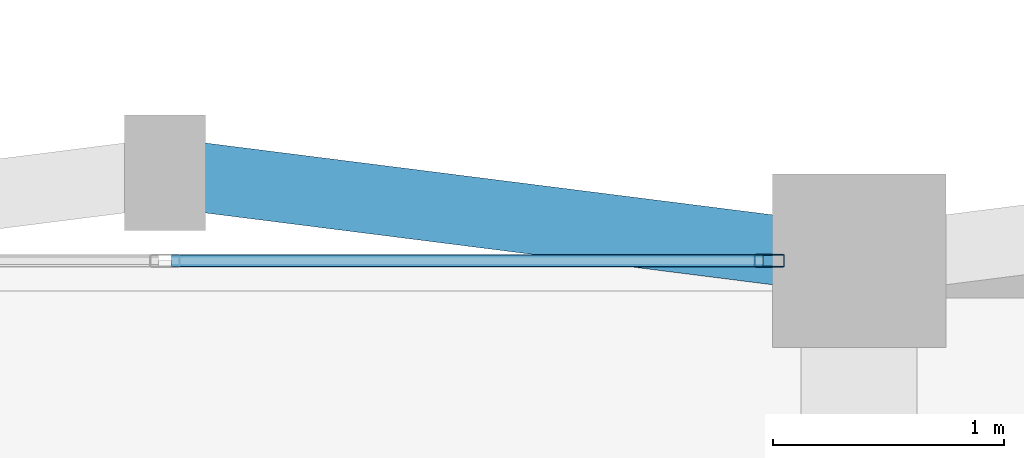
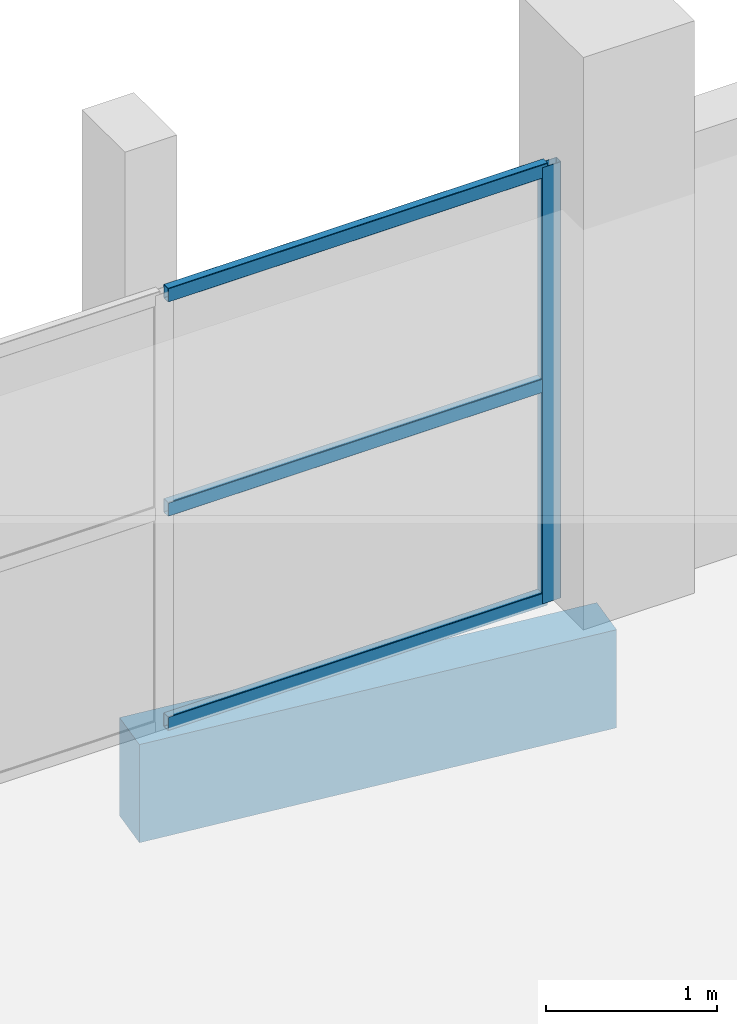
# One storey, part 17 of 127: 4 members, 1 beam, 1 element without a shape of its own.
"""IFC4 building model written with IfcOpenShell, lengths in metres."""

from ifc_helpers import new_model, si_unit, direction, frame, origin, origin_2d, place, context, subcontext, project, spatial, rectangle, hollow_rectangle, extrude, material, layer, layer_set, material_profile, profile_set, type_object, element, aggregate, save


model = new_model("IFC4")

# Units and contexts
model_context = context("Model", 3, precision=1e-05, world=origin(), true_north=direction((0.0, 1.0)))
body_context = subcontext(model_context, "Body", "Model", "MODEL_VIEW")
ifc_project = project(units=[si_unit("LENGTHUNIT", "METRE"), si_unit("AREAUNIT", "SQUARE_METRE"), si_unit("VOLUMEUNIT", "CUBIC_METRE"), si_unit("PLANEANGLEUNIT", "RADIAN"), si_unit("MASSUNIT", "GRAM", prefix="KILO")], contexts=[model_context])

# Site, building, storey
site_placement = place(None, origin())
site = spatial("IfcSite", under=ifc_project, at=site_placement, CompositionType="ELEMENT")
building_placement = place(site_placement, origin())
building = spatial("IfcBuilding", under=site, at=building_placement, Name="Dunvalen Ferry Terminal", CompositionType="ELEMENT")
storey_placement = place(building_placement, frame((0.0, 0.0, 5.760009765625)))
storey = spatial("IfcBuildingStorey", under=building, at=storey_placement, Name="L01", CompositionType="ELEMENT", Elevation=5.760009765625)

# Curtain wall, members
ifc_material_1 = material(Name="Anodised marine aluminium and solar-control glazing", Category="aluminium")
ifc_layer = layer(ifc_material_1, 0.14990234375, Name="Anodised marine aluminium and solar-control glazing")
ifc_layer_set = layer_set([ifc_layer], Name="Anodised marine aluminium and solar-control glazing")
curtain_wall_type = type_object("IfcCurtainWallType", Name="ENV-CW-SYS-11", PredefinedType="NOTDEFINED", material=ifc_layer_set)
curtain_wall_placement = place(storey_placement, origin())
curtain_wall = element("IfcCurtainWall", 1, at=curtain_wall_placement, inside=storey, type_object=curtain_wall_type, Name="L01 Curtain Wall CW-V5CORE-L01-7-7", PredefinedType="NOTDEFINED")
ifc_material_2 = material(Name="Anodised marine aluminium EN AW-6063 T6", Category="aluminium")
ifc_material_profile_1 = material_profile(ifc_material_2, hollow_rectangle(XDim=0.054931640625, YDim=0.1298828125, WallThickness=0.003173828125, InnerFilletRadius=0.003173828125, OuterFilletRadius=0.00634765625, at=origin_2d()), Name="Anodised marine aluminium EN AW-6063 T6")
ifc_profile_set_1 = profile_set([ifc_material_profile_1], Name="Anodised marine aluminium EN AW-6063 T6")
member_type_1 = type_object("IfcMemberType", Name="ENV-CW-MUL-4", PredefinedType="MULLION", material=ifc_profile_set_1)
member_1_placement = place(storey_placement, frame((47.612548828125, 36.0, 0.0), z_axis=(0.0, 0.0, 1.0), x_axis=(0.0, -1.0, 0.0)))
member_1 = element("IfcMember", 2, at=member_1_placement, type_object=member_type_1, Name="CW-11 mullion 1", PredefinedType="MULLION", context=body_context, shape_type="SweptSolid", body=[
    extrude(hollow_rectangle(XDim=0.054931640625, YDim=0.1298828125, WallThickness=0.003173828125, InnerFilletRadius=0.003173828125, OuterFilletRadius=0.00634765625, at=origin_2d()), origin(), (0.0, 0.0, 1.0), 3.110107421875),
])
ifc_material_profile_2 = material_profile(ifc_material_2, hollow_rectangle(XDim=0.054931640625, YDim=0.10009765625, WallThickness=0.0029296875, InnerFilletRadius=0.0029296875, OuterFilletRadius=0.006103515625, at=origin_2d()), Name="Anodised marine aluminium EN AW-6063 T6")
ifc_profile_set_2 = profile_set([ifc_material_profile_2], Name="Anodised marine aluminium EN AW-6063 T6")
member_type_2 = type_object("IfcMemberType", Name="ENV-CW-TRN-4", PredefinedType="USERDEFINED", material=ifc_profile_set_2)
member_2_placement = place(storey_placement, frame((47.5849609375, 36.0, 0.027587890625), z_axis=(-1.0, 0.0, 0.0), x_axis=(0.0, -1.0, 0.0)))
member_2 = element("IfcMember", 3, at=member_2_placement, type_object=member_type_2, Name="CW-11 transom 1.1", ObjectType="TRANSOM", PredefinedType="USERDEFINED", context=body_context, shape_type="SweptSolid", body=[
    extrude(hollow_rectangle(XDim=0.054931640625, YDim=0.10009765625, WallThickness=0.0029296875, InnerFilletRadius=0.0029296875, OuterFilletRadius=0.006103515625, at=origin_2d()), origin(), (0.0, 0.0, 1.0), 2.557373046875),
])
member_3_placement = place(storey_placement, frame((47.5849609375, 36.0, 1.554931640625), z_axis=(-1.0, 0.0, 0.0), x_axis=(0.0, -1.0, 0.0)))
member_3 = element("IfcMember", 4, at=member_3_placement, type_object=member_type_2, Name="CW-11 transom 1.2", ObjectType="TRANSOM", PredefinedType="USERDEFINED", context=body_context, shape_type="SweptSolid", body=[
    extrude(hollow_rectangle(XDim=0.054931640625, YDim=0.10009765625, WallThickness=0.0029296875, InnerFilletRadius=0.0029296875, OuterFilletRadius=0.006103515625, at=origin_2d()), origin(), (0.0, 0.0, 1.0), 2.557373046875),
])
member_4_placement = place(storey_placement, frame((47.5849609375, 36.0, 3.08251953125), z_axis=(-1.0, 0.0, 0.0), x_axis=(0.0, -1.0, 0.0)))
member_4 = element("IfcMember", 5, at=member_4_placement, type_object=member_type_2, Name="CW-11 transom 1.3", ObjectType="TRANSOM", PredefinedType="USERDEFINED", context=body_context, shape_type="SweptSolid", body=[
    extrude(hollow_rectangle(XDim=0.054931640625, YDim=0.10009765625, WallThickness=0.0029296875, InnerFilletRadius=0.0029296875, OuterFilletRadius=0.006103515625, at=origin_2d()), origin(), (0.0, 0.0, 1.0), 2.557373046875),
])
aggregate(curtain_wall, [member_1, member_2, member_3, member_4])

# Beam
ifc_material_3 = material(Name="Concrete C40/50", Category="concrete")
ifc_material_profile_3 = material_profile(ifc_material_3, rectangle(XDim=0.300048828125, YDim=0.699951171875, at=origin_2d()), Name="Concrete C40/50")
ifc_profile_set_3 = profile_set([ifc_material_profile_3], Name="Concrete C40/50")
beam_type = type_object("IfcBeamType", Name="STR-BM-RCSP700", PredefinedType="SPANDREL", material=ifc_profile_set_3)
beam_placement = place(storey_placement, frame((45.0, 36.3798828125, -0.610107421875), z_axis=(0.992077869489, -0.12562444376, 0.0), x_axis=(0.12562444376, 0.992077869489, 0.0)))
element("IfcBeam", 6, at=beam_placement, inside=storey, type_object=beam_type, Name="L01 Passage Pilaster Spandrel Tie 06.2", PredefinedType="SPANDREL", context=body_context, shape_type="SweptSolid", body=[
    extrude(rectangle(XDim=0.300048828125, YDim=0.699951171875, at=origin_2d()), origin(), (0.0, 0.0, 1.0), 3.02392578125),
])

save(model, "model.ifc")
